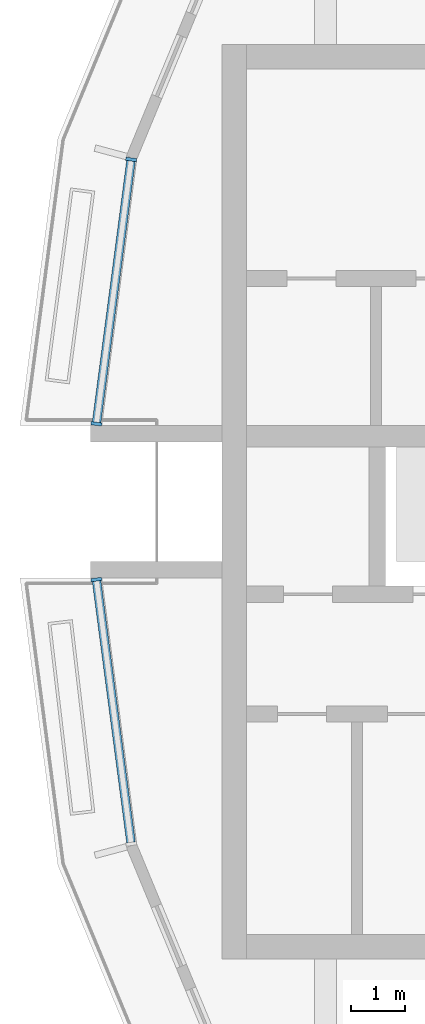
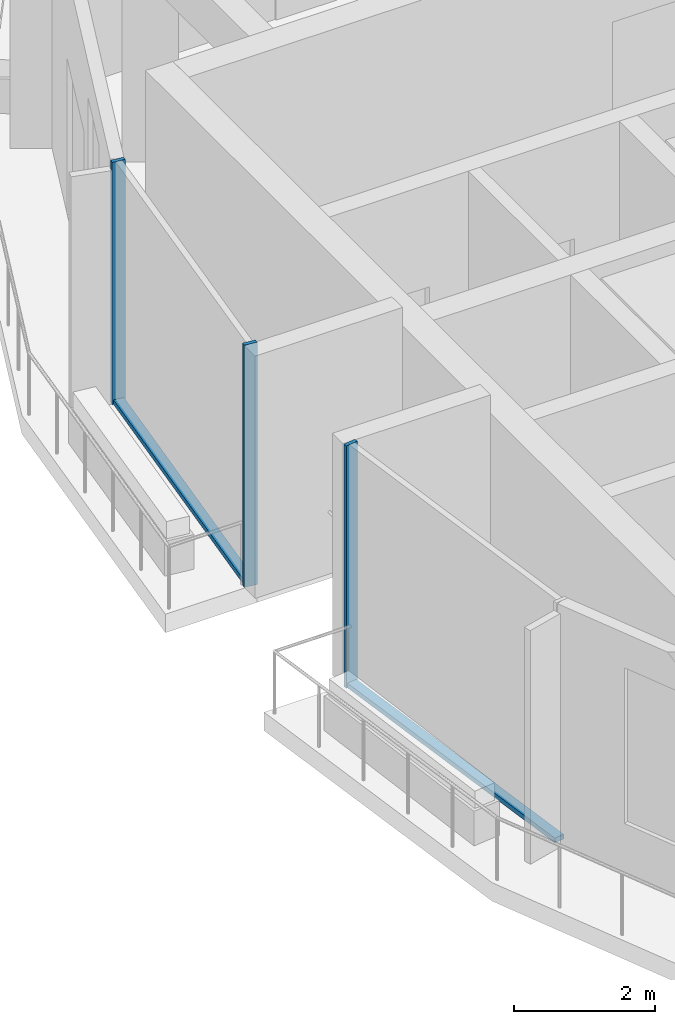
# One storey, part 3 of 17: 5 members, 2 elements without a shape of their own.
"""IFC4 building model written with IfcOpenShell, lengths in metres."""

from ifc_helpers import new_model, si_unit, direction, frame, origin, origin_2d, place, context, subcontext, project, spatial, rectangle, extrude, material, layer, layer_set, material_profile, profile_set, type_object, element, aggregate, save


model = new_model("IFC4")

# Units and contexts
model_context = context("Model", 3, precision=1e-05, world=origin(), true_north=direction((0.0, 1.0)))
body_context = subcontext(model_context, "Body", "Model", "MODEL_VIEW")
ifc_project = project(units=[si_unit("LENGTHUNIT", "METRE"), si_unit("AREAUNIT", "SQUARE_METRE"), si_unit("VOLUMEUNIT", "CUBIC_METRE"), si_unit("PLANEANGLEUNIT", "RADIAN"), si_unit("MASSUNIT", "GRAM", prefix="KILO")], contexts=[model_context])

# Site, building, storey
site_placement = place(None, origin())
site = spatial("IfcSite", under=ifc_project, at=site_placement, CompositionType="ELEMENT")
building_placement = place(site_placement, origin())
building = spatial("IfcBuilding", under=site, at=building_placement, Name="Torre Brocal", CompositionType="ELEMENT")
storey_placement = place(building_placement, frame((0.0, 0.0, 275.699951171875)))
storey = spatial("IfcBuildingStorey", under=building, at=storey_placement, Name="L63", CompositionType="ELEMENT", Elevation=275.699951171875)

# Curtain wall, members
ifc_material_1 = material(Name="Aluminium and glass", Category="aluminium")
ifc_layer = layer(ifc_material_1, 0.199951171875)
ifc_layer_set = layer_set([ifc_layer], Name="Aluminium and glass")
curtain_wall_type = type_object("IfcCurtainWallType", Name="CW-1B CURTAIN WALL 4200 HIGH", PredefinedType="NOTDEFINED", material=ifc_layer_set)
curtain_wall_1_placement = place(storey_placement, origin())
curtain_wall_1 = element("IfcCurtainWall", 1, at=curtain_wall_1_placement, inside=storey, type_object=curtain_wall_type, Name="CW-1B RUN 12", PredefinedType="NOTDEFINED")
ifc_material_2 = material(Name="Aluminium, dark anodised", Category="aluminium")
ifc_material_profile_1 = material_profile(ifc_material_2, rectangle(XDim=0.199951171875, YDim=0.06005859375, at=origin_2d()), Name="CW-1B MULLION 60X200")
ifc_profile_set_1 = profile_set([ifc_material_profile_1], Name="Aluminium, dark anodised")
member_type_1 = type_object("IfcMemberType", Name="CW-1B MULLION 60X200", PredefinedType="MULLION", material=ifc_profile_set_1)
member_1_placement = place(storey_placement, frame((56.42822265625, 81.28515625, 0.0), z_axis=(0.0, 0.0, 1.0), x_axis=(0.991444861387, -0.130526192116, 0.0)))
member_1 = element("IfcMember", 2, at=member_1_placement, type_object=member_type_1, Name="CW1B-5 mullion 1", PredefinedType="MULLION", context=body_context, shape_type="SweptSolid", body=[
    extrude(rectangle(XDim=0.199951171875, YDim=0.06005859375, at=origin_2d()), origin(), (0.0, 0.0, 1.0), 4.199951171875),
])
member_2_placement = place(storey_placement, frame((55.7890625, 76.4296875, 0.0), z_axis=(0.0, 0.0, 1.0), x_axis=(0.991444861387, -0.130526192116, 0.0)))
member_2 = element("IfcMember", 3, at=member_2_placement, type_object=member_type_1, Name="CW1B-5 mullion 2", PredefinedType="MULLION", context=body_context, shape_type="SweptSolid", body=[
    extrude(rectangle(XDim=0.199951171875, YDim=0.06005859375, at=origin_2d()), origin(), (0.0, 0.0, 1.0), 4.199951171875),
])

# Curtain wall, member
curtain_wall_2_placement = place(storey_placement, origin())
curtain_wall_2 = element("IfcCurtainWall", 4, at=curtain_wall_2_placement, inside=storey, type_object=curtain_wall_type, Name="CW-1B RUN 13", PredefinedType="NOTDEFINED")
member_3_placement = place(storey_placement, frame((55.7890625, 73.5703125, 0.0), z_axis=(0.0, 0.0, 1.0), x_axis=(0.991444861387, 0.130526192116, 0.0)))
member_3 = element("IfcMember", 5, at=member_3_placement, type_object=member_type_1, Name="CW1B-5 mullion 1", PredefinedType="MULLION", context=body_context, shape_type="SweptSolid", body=[
    extrude(rectangle(XDim=0.199951171875, YDim=0.06005859375, at=origin_2d()), origin(), (0.0, 0.0, 1.0), 4.199951171875),
])

# Member
ifc_material_3 = material(Name="Aluminium, dark anodised", Category="aluminium")
ifc_material_profile_2 = material_profile(ifc_material_3, rectangle(XDim=0.159912109375, YDim=0.080078125, at=origin_2d()), Name="CW-1B TRANSOM 160X80")
ifc_profile_set_2 = profile_set([ifc_material_profile_2], Name="Aluminium, dark anodised")
member_type_2 = type_object("IfcMemberType", Name="CW-1B TRANSOM 160X80", PredefinedType="USERDEFINED", material=ifc_profile_set_2)
member_4_placement = place(storey_placement, frame((56.42431640625, 81.25537109375, 0.0400390625), z_axis=(-0.130517179786, -0.991446047842, 0.0), x_axis=(0.991446047842, -0.130517179786, 0.0)))
member_4 = element("IfcMember", 6, at=member_4_placement, type_object=member_type_2, Name="CW1B-5 transom 1.1", ObjectType="TRANSOM", PredefinedType="USERDEFINED", context=body_context, shape_type="SweptSolid", body=[
    extrude(rectangle(XDim=0.159912109375, YDim=0.080078125, at=origin_2d()), origin(), (0.0, 0.0, 1.0), 4.837158203125),
])

aggregate(curtain_wall_1, [member_1, member_2, member_4])

member_5_placement = place(storey_placement, frame((55.79296875, 73.54052734375, 0.0400390625), z_axis=(0.130517179786, -0.991446047842, 0.0), x_axis=(0.991446047842, 0.130517179786, 0.0)))
member_5 = element("IfcMember", 7, at=member_5_placement, type_object=member_type_2, Name="CW1B-5 transom 1.1", ObjectType="TRANSOM", PredefinedType="USERDEFINED", context=body_context, shape_type="SweptSolid", body=[
    extrude(rectangle(XDim=0.159912109375, YDim=0.080078125, at=origin_2d()), origin(), (0.0, 0.0, 1.0), 4.837158203125),
])

aggregate(curtain_wall_2, [member_3, member_5])

save(model, "model.ifc")
